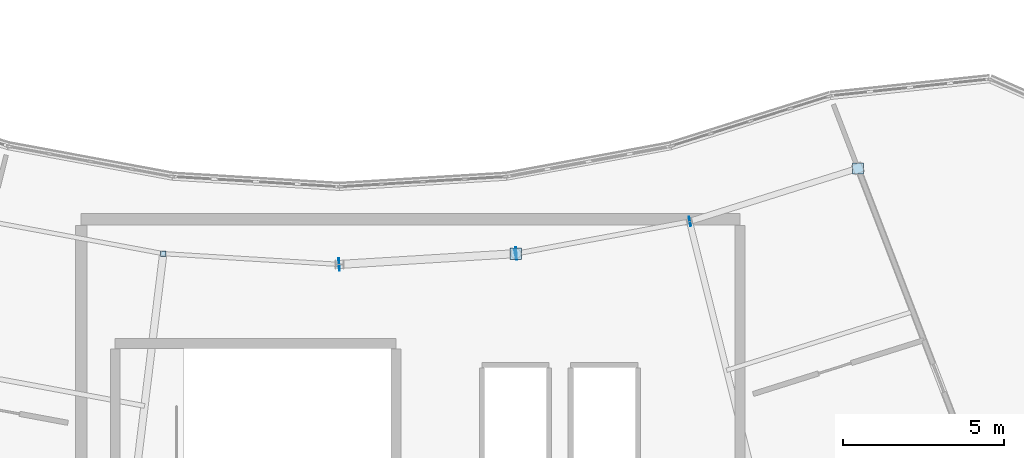
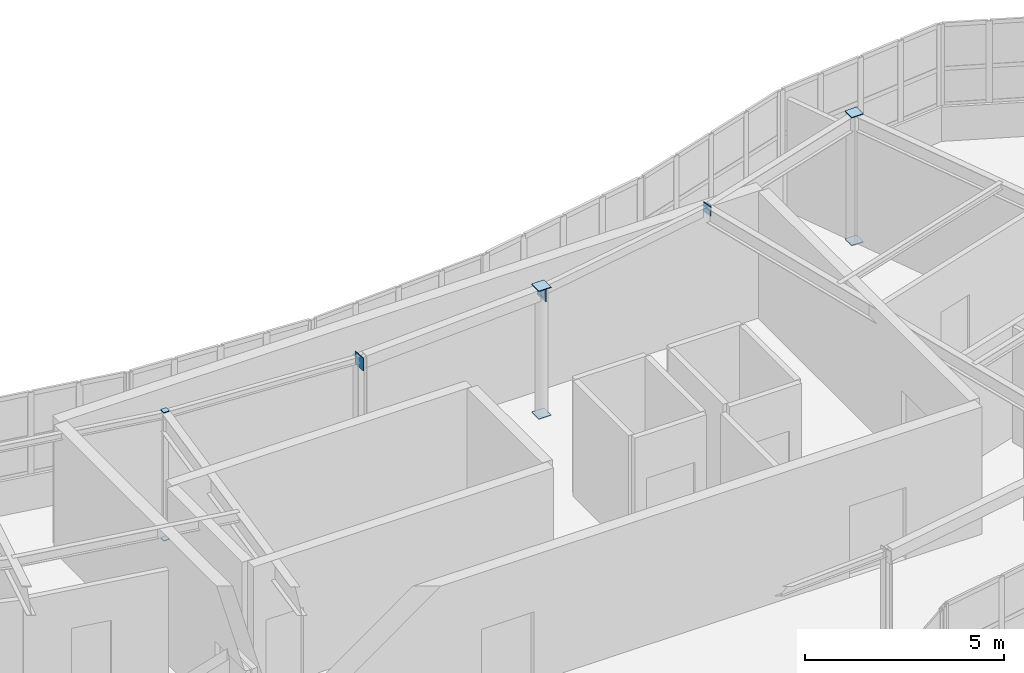
# One storey, part 48 of 60: 10 plates.
"""IFC4 building model written with IfcOpenShell, lengths in metres."""

from ifc_helpers import new_model, si_unit, direction, frame, origin, origin_2d, place, context, subcontext, project, spatial, rectangle, extrude, material, layer, layer_set, type_object, element, save


model = new_model("IFC4")

# Units and contexts
model_context = context("Model", 3, precision=1e-05, world=origin(), true_north=direction((0.0, 1.0)))
body_context = subcontext(model_context, "Body", "Model", "MODEL_VIEW")
ifc_project = project(units=[si_unit("LENGTHUNIT", "METRE"), si_unit("AREAUNIT", "SQUARE_METRE"), si_unit("VOLUMEUNIT", "CUBIC_METRE"), si_unit("PLANEANGLEUNIT", "RADIAN"), si_unit("MASSUNIT", "GRAM", prefix="KILO")], contexts=[model_context])

# Site, building, storey
site_placement = place(None, origin())
site = spatial("IfcSite", under=ifc_project, at=site_placement, CompositionType="ELEMENT")
building_placement = place(site_placement, origin())
building = spatial("IfcBuilding", under=site, at=building_placement, Name="Tarnwether General Hospital", CompositionType="ELEMENT")
storey_placement = place(building_placement, frame((0.0, 0.0, 26.10009765625)))
storey = spatial("IfcBuildingStorey", under=building, at=storey_placement, Name="L06", CompositionType="ELEMENT", Elevation=26.10009765625)

# Plates
ifc_material = material(Name="Steel Grade 350 (350 MPa)", Category="steel")
ifc_layer = layer(ifc_material, 0.02490234375)
ifc_layer_set = layer_set([ifc_layer], Name="Steel Grade 350 (350 MPa)")
plate_type = type_object("IfcPlateType", Name="PT-GUS2", PredefinedType="USERDEFINED", material=ifc_layer_set)
for number, where, z_axis, x_axis, name in (
    (1, (86.5400390625, 18.533935546875, -0.025146484375), (0.0, 0.0, 1.0), (1.0, 0.0, 0.0), "Hollow Section Welded End Cap Plate 0675"),
    (2, (86.5400390625, 18.533935546875, 3.89990234375), (0.0, 0.0, 1.0), (1.0, 0.0, 0.0), "Hollow Section Welded End Cap Plate 0676"),
):
    element("IfcPlate", number, at=place(storey_placement, frame(where, z_axis=z_axis, x_axis=x_axis)), inside=storey, type_object=plate_type, Name=name, ObjectType="GUSSET", PredefinedType="USERDEFINED", context=body_context, shape_type="SweptSolid", body=[
        extrude(rectangle(XDim=0.1650390625, YDim=0.1650390625, at=origin_2d()), origin(), (0.0, 0.0, 1.0), 0.02490234375),
    ])
for number, where, z_axis, x_axis, name in (
    (3, (97.4599609375, 18.533935546875, -0.025146484375), (0.0, 0.0, 1.0), (1.0, 0.0, 0.0), "Hollow Section Welded End Cap Plate 0703"),
    (4, (97.4599609375, 18.533935546875, 3.89990234375), (0.0, 0.0, 1.0), (1.0, 0.0, 0.0), "Hollow Section Welded End Cap Plate 0704"),
):
    element("IfcPlate", number, at=place(storey_placement, frame(where, z_axis=z_axis, x_axis=x_axis)), inside=storey, type_object=plate_type, Name=name, ObjectType="GUSSET", PredefinedType="USERDEFINED", context=body_context, shape_type="SweptSolid", body=[
        extrude(rectangle(XDim=0.364013671875, YDim=0.364013671875, at=origin_2d()), origin(), (0.0, 0.0, 1.0), 0.02490234375),
    ])
for number, where, z_axis, x_axis, name in (
    (5, (108.054931640625, 21.176025390625, -0.025146484375), (0.0, 0.0, 1.0), (1.0, 0.0, 0.0), "Hollow Section Welded End Cap Plate 0727"),
    (6, (108.054931640625, 21.176025390625, 3.89990234375), (0.0, 0.0, 1.0), (1.0, 0.0, 0.0), "Hollow Section Welded End Cap Plate 0728"),
):
    element("IfcPlate", number, at=place(storey_placement, frame(where, z_axis=z_axis, x_axis=x_axis)), inside=storey, type_object=plate_type, Name=name, ObjectType="GUSSET", PredefinedType="USERDEFINED", context=body_context, shape_type="SweptSolid", body=[
        extrude(rectangle(XDim=0.340087890625, YDim=0.340087890625, at=origin_2d()), origin(), (0.0, 0.0, 1.0), 0.02490234375),
    ])
for number, where, z_axis, x_axis, name in (
    (7, (91.987548828125, 18.19921875, 3.52978515625), (0.0, 0.0, 1.0), (0.998133732772, 0.061065960264, 0.0), "Hollow Section Welded End Cap Plate 1167"),
    (8, (97.472412109375, 18.534912109375, 3.52978515625), (0.0, 0.0, 1.0), (0.998133732772, 0.061065960264, 0.0), "Hollow Section Welded End Cap Plate 1168"),
):
    element("IfcPlate", number, at=place(storey_placement, frame(where, z_axis=z_axis, x_axis=x_axis)), inside=storey, type_object=plate_type, Name=name, ObjectType="GUSSET", PredefinedType="USERDEFINED", context=body_context, shape_type="SweptSolid", body=[
        extrude(rectangle(XDim=0.02490234375, YDim=0.389892578125, at=origin_2d()), origin(), (0.0, 0.0, 1.0), 0.389892578125),
    ])
for number, where, z_axis, x_axis, name in (
    (9, (97.44775390625, 18.53173828125, 3.6298828125), (0.0, 0.0, 1.0), (0.983245364386, 0.182287008349, 0.0), "Hollow Section Welded End Cap Plate 1171"),
    (10, (102.850341796875, 19.533203125, 3.6298828125), (0.0, 0.0, 1.0), (0.983245364386, 0.182287008349, 0.0), "Hollow Section Welded End Cap Plate 1172"),
):
    element("IfcPlate", number, at=place(storey_placement, frame(where, z_axis=z_axis, x_axis=x_axis)), inside=storey, type_object=plate_type, Name=name, ObjectType="GUSSET", PredefinedType="USERDEFINED", context=body_context, shape_type="SweptSolid", body=[
        extrude(rectangle(XDim=0.02490234375, YDim=0.2900390625, at=origin_2d()), origin(), (0.0, 0.0, 1.0), 0.2900390625),
    ])

save(model, "model.ifc")
